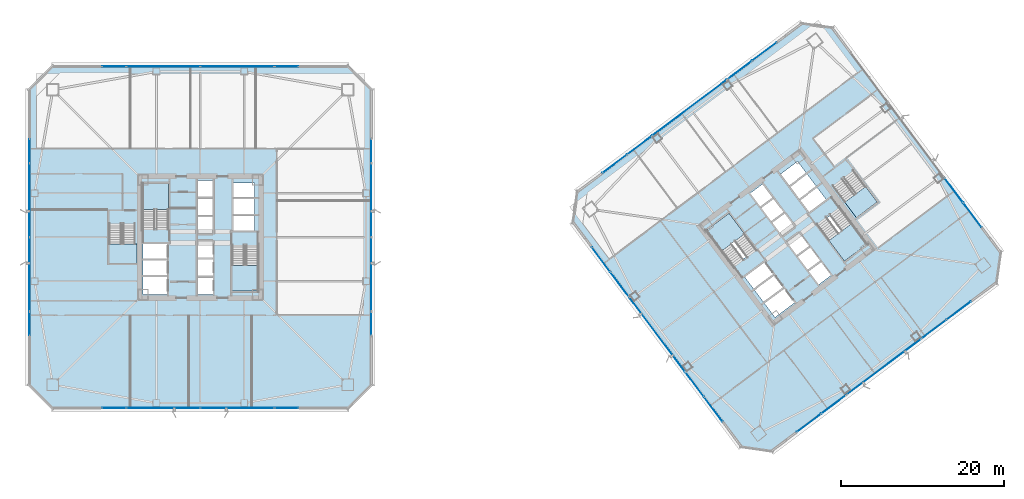
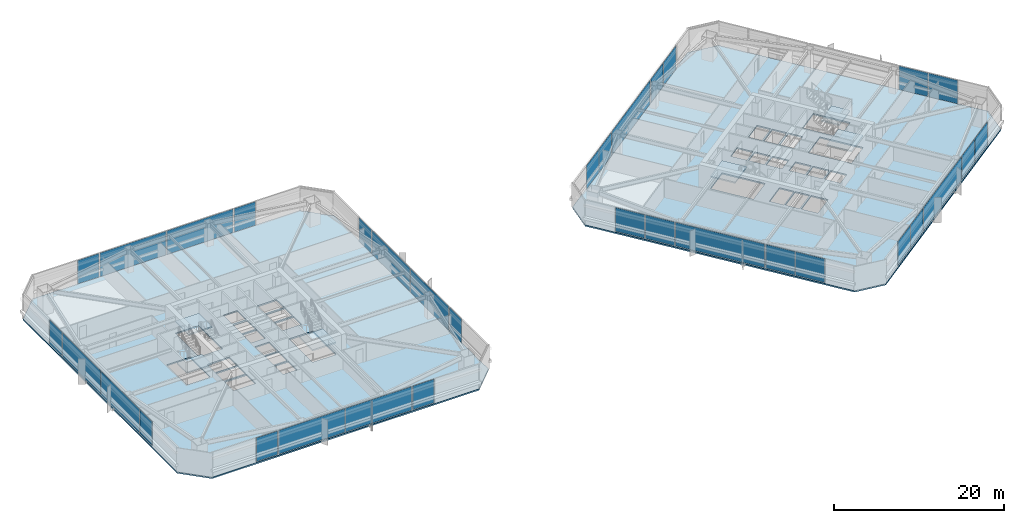
# One storey, part 34 of 49: 33 plates, 8 slabs, 28 elements without a shape of their own.
"""IFC4 building model written with IfcOpenShell, lengths in metres."""

import ifcopenshell
import ifcopenshell.guid

model = None  # the IFC model being written
_history = None  # IfcOwnerHistory: only IFC2X3 demands one
_inside = {}  # id of a spatial element -> (the spatial element, [elements in it])
_under = {}  # id of a project, library or spatial element -> (it, [spatial elements below it])
_declared = {}  # id of a project -> (the project, [libraries it declares])
_typed = {}  # id of a type object -> (the type object, [elements of that type])
_made_of = {}  # id of a material, layer set ... -> (it, [elements and type objects made of it])


def new_model(schema):
    """Start an empty IFC model of exactly this schema.

    Asked for "IFC4X3", IfcOpenShell would pick the latest addendum, in which some entities
    have other attributes; the version numbers below select the first issue.
    IFC2X3 requires an IfcOwnerHistory on every rooted entity: one is made here for all.
    """
    global model, _history
    if schema == "IFC4X3":
        model = ifcopenshell.file(schema_version=(4, 3, 0, 0))
    else:
        model = ifcopenshell.file(schema=schema)
    _inside.clear()
    _under.clear()
    _declared.clear()
    _typed.clear()
    _made_of.clear()
    _history = None
    if model.schema == "IFC2X3":
        org = make("IfcOrganization", Name="unknown")
        user = make(
            "IfcPersonAndOrganization",
            ThePerson=make("IfcPerson", FamilyName="unknown"),
            TheOrganization=org,
        )
        app = make(
            "IfcApplication",
            ApplicationDeveloper=org,
            Version="unknown",
            ApplicationFullName="unknown",
            ApplicationIdentifier="unknown",
        )
        _history = make(
            "IfcOwnerHistory",
            OwningUser=user,
            OwningApplication=app,
            ChangeAction="ADDED",
            CreationDate=0,
        )
    return model


def make(cls, **values):
    """One entity of the class cls with the attributes given. An attribute that is None is left unset."""
    return model.create_entity(
        cls, **{name: value for name, value in values.items() if value is not None}
    )


def rooted(cls, **values):
    """An entity with a GlobalId (a new one), such as an element, a storey or a relation."""
    return make(cls, GlobalId=ifcopenshell.guid.new(), OwnerHistory=_history, **values)


def si_unit(unit_type, name, prefix=None):
    """IfcSIUnit, for example si_unit("LENGTHUNIT", "METRE", prefix="MILLI")."""
    return make("IfcSIUnit", UnitType=unit_type, Prefix=prefix, Name=name)


def assignment(units):
    """IfcUnitAssignment: the units of a project."""
    return None if units is None else make("IfcUnitAssignment", Units=units)


def point(xyz):
    """IfcCartesianPoint."""
    return None if xyz is None else make("IfcCartesianPoint", Coordinates=xyz)


def direction(xyz):
    """IfcDirection."""
    return None if xyz is None else make("IfcDirection", DirectionRatios=xyz)


def frame(location, z_axis=None, x_axis=None):
    """IfcAxis2Placement3D, a coordinate frame: its origin and axes. An axis left out is left unset."""
    return make(
        "IfcAxis2Placement3D",
        Location=point(location),
        Axis=direction(z_axis),
        RefDirection=direction(x_axis),
    )


def frame_2d(location, x_axis=None):
    """IfcAxis2Placement2D, a coordinate frame in the plane: its origin and x axis."""
    return make(
        "IfcAxis2Placement2D", Location=point(location), RefDirection=direction(x_axis)
    )


def origin():
    """The frame at (0, 0, 0) with its axes left unset."""
    return frame((0.0, 0.0, 0.0))


def origin_2d():
    """The frame at (0, 0) in the plane with its x axis left unset."""
    return frame_2d((0.0, 0.0))


def place(relative_to, where):
    """IfcLocalPlacement: puts the frame where relative to a parent placement (None: the world)."""
    return make(
        "IfcLocalPlacement", PlacementRelTo=relative_to, RelativePlacement=where
    )


def context(
    kind, dimensions, precision=None, world=None, true_north=None, identifier=None
):
    """IfcGeometricRepresentationContext, for example the 3D "Model" context."""
    return make(
        "IfcGeometricRepresentationContext",
        ContextIdentifier=identifier,
        ContextType=kind,
        CoordinateSpaceDimension=dimensions,
        Precision=precision,
        WorldCoordinateSystem=world,
        TrueNorth=true_north,
    )


def subcontext(parent, identifier, kind, view, scale=None):
    """IfcGeometricRepresentationSubContext, for example "Body" below "Model"."""
    return make(
        "IfcGeometricRepresentationSubContext",
        ContextIdentifier=identifier,
        ContextType=kind,
        ParentContext=parent,
        TargetScale=scale,
        TargetView=view,
    )


def project(units=None, contexts=None):
    """IfcProject with its units and contexts."""
    return rooted(
        "IfcProject",
        Name="project",
        RepresentationContexts=contexts,
        UnitsInContext=assignment(units),
    )


def spatial(cls, under=None, at=None, **own):
    """A site, building, storey or space (cls), placed at a placement, below another one or the project."""
    s = rooted(cls, ObjectPlacement=at, **own)
    if under is not None:
        _under.setdefault(under.id(), (under, []))[1].append(s)
    return s


def polyline(points):
    """IfcPolyline through the points."""
    return make("IfcPolyline", Points=[point(p) for p in points])


def profile(cls, at=None, kind="AREA", **sizes):
    """A parametric profile (cls). Its sizes go by their IFC names, for example OverallWidth=200.0."""
    return make(cls, ProfileType=kind, Position=at, **sizes)


def rectangle(**sizes):
    """IfcRectangleProfileDef."""
    return profile("IfcRectangleProfileDef", **sizes)


def outline(outer, holes=None, kind="AREA"):
    """IfcArbitraryClosedProfileDef: a profile drawn as a closed curve; with holes, ...WithVoids."""
    if holes is None:
        return make("IfcArbitraryClosedProfileDef", ProfileType=kind, OuterCurve=outer)
    return make(
        "IfcArbitraryProfileDefWithVoids",
        ProfileType=kind,
        OuterCurve=outer,
        InnerCurves=holes,
    )


def extrude(swept, where, along, depth):
    """IfcExtrudedAreaSolid: the profile swept, set in the frame where, extruded along a direction by depth."""
    return make(
        "IfcExtrudedAreaSolid",
        SweptArea=swept,
        Position=where,
        ExtrudedDirection=direction(along),
        Depth=depth,
    )


def shape(context_of_items, identifier, shape_type, items):
    """IfcShapeRepresentation: the items that make up one representation, for example the "Body"."""
    return make(
        "IfcShapeRepresentation",
        ContextOfItems=context_of_items,
        RepresentationIdentifier=identifier,
        RepresentationType=shape_type,
        Items=items,
    )


def material(Name=None, Category=None):
    """IfcMaterial."""
    return make("IfcMaterial", Name=Name, Category=Category)


def layer(
    of_material, thickness, ventilated=None, Name=None, Category=None, Priority=None
):
    """IfcMaterialLayer: one layer of a wall or slab, of a material (None: an air gap)."""
    return make(
        "IfcMaterialLayer",
        Material=of_material,
        LayerThickness=thickness,
        IsVentilated=ventilated,
        Name=Name,
        Category=Category,
        Priority=Priority,
    )


def layer_set(layers, Name=None):
    """IfcMaterialLayerSet."""
    return make("IfcMaterialLayerSet", MaterialLayers=layers, LayerSetName=Name)


def made_of(thing, what):
    """Note that an element or type object is made of a material, layer set ...; save() writes the relation."""
    if what is not None:
        _made_of.setdefault(what.id(), (what, []))[1].append(thing)
    return thing


def type_object(cls, material=None, **own):
    """A type object (cls), such as IfcWallType, which elements share."""
    return made_of(rooted(cls, **own), material)


def element(
    cls,
    number,
    at=None,
    inside=None,
    cuts=None,
    type_object=None,
    material=None,
    context=None,
    identifier="Body",
    shape_type=None,
    held_by="IfcProductDefinitionShape",
    body=None,
    shapes=None,
    **own,
):
    """One element of the class cls, such as IfcWall. Its Tag is "e" and its number.

    at: its placement. inside: the storey or other place that contains it. cuts: it is an
    opening in that element (IfcRelVoidsElement). A single representation is given by context,
    identifier, shape_type and body (its items); several are given by shapes. held_by: the class
    of the entity that holds the representations. save() writes the other relations.
    """
    e = rooted(cls, Tag="e%d" % number, ObjectPlacement=at, **own)
    if body is not None:
        shapes = [shape(context, identifier, shape_type, body)]
    if shapes is not None:
        e.Representation = make(held_by, Representations=shapes)
    if inside is not None:
        _inside.setdefault(inside.id(), (inside, []))[1].append(e)
    if cuts is not None:
        rooted(
            "IfcRelVoidsElement", RelatingBuildingElement=cuts, RelatedOpeningElement=e
        )
    if type_object is not None:
        _typed.setdefault(type_object.id(), (type_object, []))[1].append(e)
    return made_of(e, material)


def aggregate(whole, parts):
    """IfcRelAggregates: a whole, such as a stair, and the parts it consists of."""
    return rooted("IfcRelAggregates", RelatingObject=whole, RelatedObjects=parts)


def save(model, path):
    """Write the relations noted so far, then the file.

    IfcRelAggregates (storeys below a building ...), IfcRelContainedInSpatialStructure (elements
    in a storey), IfcRelDefinesByType, IfcRelAssociatesMaterial and IfcRelDeclares: one each for
    every whole, place, type object, material and project.
    """
    for whole, parts in _under.values():
        aggregate(whole, parts)
    for where, things in _inside.values():
        rooted(
            "IfcRelContainedInSpatialStructure",
            RelatedElements=things,
            RelatingStructure=where,
        )
    for kind, things in _typed.values():
        rooted("IfcRelDefinesByType", RelatedObjects=things, RelatingType=kind)
    for what, things in _made_of.values():
        rooted("IfcRelAssociatesMaterial", RelatedObjects=things, RelatingMaterial=what)
    for by, libraries in _declared.values():
        rooted("IfcRelDeclares", RelatingContext=by, RelatedDefinitions=libraries)
    model.write(path)


model = new_model("IFC4")

# Units and contexts
model_context = context("Model", 3, precision=1e-05, world=origin(), true_north=direction((0.0, 1.0)))
body_context = subcontext(model_context, "Body", "Model", "MODEL_VIEW")
ifc_project = project(units=[si_unit("LENGTHUNIT", "METRE"), si_unit("AREAUNIT", "SQUARE_METRE"), si_unit("VOLUMEUNIT", "CUBIC_METRE"), si_unit("PLANEANGLEUNIT", "RADIAN"), si_unit("MASSUNIT", "GRAM", prefix="KILO")], contexts=[model_context])

# Site, building, storey
site_placement = place(None, origin())
site = spatial("IfcSite", under=ifc_project, at=site_placement, CompositionType="ELEMENT")
building_placement = place(site_placement, origin())
building = spatial("IfcBuilding", under=site, at=building_placement, Name="Tashvorn Skyway Center", CompositionType="ELEMENT")
storey_placement = place(building_placement, frame((0.0, 0.0, 70.75)))
storey = spatial("IfcBuildingStorey", under=building, at=storey_placement, Name="L18", CompositionType="ELEMENT", Elevation=70.75)

# Curtain wall, plate
ifc_material_1 = material(Name="Thermally broken bronze-anodized aluminium 6063-T6", Category="aluminium")
curtain_wall_type = type_object("IfcCurtainWallType", Name="CW-CW-Z2", PredefinedType="NOTDEFINED", material=ifc_material_1)
curtain_wall_1_placement = place(storey_placement, origin())
curtain_wall_1 = element("IfcCurtainWall", 1, at=curtain_wall_1_placement, inside=storey, type_object=curtain_wall_type, Name="Tower 1 L18 South Unitised Curtain Wall Glazing Group 1", PredefinedType="NOTDEFINED")
ifc_material_2 = material(Name="Low-E solar-control double insulating safety glass", Category="glass")
ifc_layer_1 = layer(ifc_material_2, 0.0439453125)
ifc_layer_set_1 = layer_set([ifc_layer_1], Name="Low-E solar-control double insulating safety glass")
plate_type = type_object("IfcPlateType", Name="CWP-CW-Z2", PredefinedType="CURTAIN_PANEL", material=ifc_layer_set_1)
plate_1_placement = place(storey_placement, frame((52.60498046875, 11.02001953125, 0.080078125), z_axis=(0.0, 0.0, 1.0), x_axis=(-1.0, 0.0, 0.0)))
plate_1 = element("IfcPlate", 2, at=plate_1_placement, type_object=plate_type, Name="CW-Z2 panel 1.1", PredefinedType="CURTAIN_PANEL", context=body_context, shape_type="SweptSolid", body=[
    extrude(rectangle(XDim=2.8701171875, YDim=0.0439453125, at=origin_2d()), origin(), (0.0, 0.0, 1.0), 3.389892578125),
])
aggregate(curtain_wall_1, [plate_1])

# Curtain wall, plates
curtain_wall_2_placement = place(storey_placement, origin())
curtain_wall_2 = element("IfcCurtainWall", 3, at=curtain_wall_2_placement, inside=storey, type_object=curtain_wall_type, Name="Tower 1 L18 South Unitised Curtain Wall Glazing Group 2", PredefinedType="NOTDEFINED")
plate_2_placement = place(storey_placement, frame((46.52490234375, 11.02001953125, 0.080078125), z_axis=(0.0, 0.0, 1.0), x_axis=(-1.0, 0.0, 0.0)))
plate_2 = element("IfcPlate", 4, at=plate_2_placement, type_object=plate_type, Name="CW-Z2 panel 1.1", PredefinedType="CURTAIN_PANEL", context=body_context, shape_type="SweptSolid", body=[
    extrude(rectangle(XDim=8.969970703125, YDim=0.0439453125, at=origin_2d()), origin(), (0.0, 0.0, 1.0), 3.389892578125),
])
plate_3_placement = place(storey_placement, frame((37.47509765625, 11.02001953125, 0.080078125), z_axis=(0.0, 0.0, 1.0), x_axis=(-1.0, 0.0, 0.0)))
plate_3 = element("IfcPlate", 5, at=plate_3_placement, type_object=plate_type, Name="CW-Z2 panel 2.1", PredefinedType="CURTAIN_PANEL", context=body_context, shape_type="SweptSolid", body=[
    extrude(rectangle(XDim=8.969970703125, YDim=0.0439453125, at=origin_2d()), origin(), (0.0, 0.0, 1.0), 3.389892578125),
])
aggregate(curtain_wall_2, [plate_2, plate_3])

# Curtain wall, plate
curtain_wall_3_placement = place(storey_placement, origin())
curtain_wall_3 = element("IfcCurtainWall", 6, at=curtain_wall_3_placement, inside=storey, type_object=curtain_wall_type, Name="Tower 1 L18 South Unitised Curtain Wall Glazing Group 3", PredefinedType="NOTDEFINED")
plate_4_placement = place(storey_placement, frame((31.39501953125, 11.02001953125, 0.080078125), z_axis=(0.0, 0.0, 1.0), x_axis=(-1.0, 0.0, 0.0)))
plate_4 = element("IfcPlate", 7, at=plate_4_placement, type_object=plate_type, Name="CW-Z2 panel 1.1", PredefinedType="CURTAIN_PANEL", context=body_context, shape_type="SweptSolid", body=[
    extrude(rectangle(XDim=2.8701171875, YDim=0.0439453125, at=origin_2d()), origin(), (0.0, 0.0, 1.0), 3.389892578125),
])
aggregate(curtain_wall_3, [plate_4])

curtain_wall_4_placement = place(storey_placement, origin())
curtain_wall_4 = element("IfcCurtainWall", 8, at=curtain_wall_4_placement, inside=storey, type_object=curtain_wall_type, Name="Tower 1 L18 West Unitised Curtain Wall Glazing Group 1", PredefinedType="NOTDEFINED")
plate_5_placement = place(storey_placement, frame((21.02001953125, 21.39501953125, 0.080078125), z_axis=(0.0, 0.0, 1.0), x_axis=(0.0, 1.0, 0.0)))
plate_5 = element("IfcPlate", 9, at=plate_5_placement, type_object=plate_type, Name="CW-Z2 panel 1.1", PredefinedType="CURTAIN_PANEL", context=body_context, shape_type="SweptSolid", body=[
    extrude(rectangle(XDim=2.8701171875, YDim=0.0439453125, at=origin_2d()), origin(), (0.0, 0.0, 1.0), 3.389892578125),
])
aggregate(curtain_wall_4, [plate_5])

# Curtain wall, plates
curtain_wall_5_placement = place(storey_placement, origin())
curtain_wall_5 = element("IfcCurtainWall", 10, at=curtain_wall_5_placement, inside=storey, type_object=curtain_wall_type, Name="Tower 1 L18 West Unitised Curtain Wall Glazing Group 2", PredefinedType="NOTDEFINED")
plate_6_placement = place(storey_placement, frame((21.02001953125, 27.47509765625, 0.080078125), z_axis=(0.0, 0.0, 1.0), x_axis=(0.0, 1.0, 0.0)))
plate_6 = element("IfcPlate", 11, at=plate_6_placement, type_object=plate_type, Name="CW-Z2 panel 1.1", PredefinedType="CURTAIN_PANEL", context=body_context, shape_type="SweptSolid", body=[
    extrude(rectangle(XDim=8.969970703125, YDim=0.0439453125, at=origin_2d()), origin(), (0.0, 0.0, 1.0), 3.389892578125),
])
plate_7_placement = place(storey_placement, frame((21.02001953125, 36.52490234375, 0.080078125), z_axis=(0.0, 0.0, 1.0), x_axis=(0.0, 1.0, 0.0)))
plate_7 = element("IfcPlate", 12, at=plate_7_placement, type_object=plate_type, Name="CW-Z2 panel 2.1", PredefinedType="CURTAIN_PANEL", context=body_context, shape_type="SweptSolid", body=[
    extrude(rectangle(XDim=8.969970703125, YDim=0.0439453125, at=origin_2d()), origin(), (0.0, 0.0, 1.0), 3.389892578125),
])
aggregate(curtain_wall_5, [plate_6, plate_7])

# Curtain wall, plate
curtain_wall_6_placement = place(storey_placement, origin())
curtain_wall_6 = element("IfcCurtainWall", 13, at=curtain_wall_6_placement, inside=storey, type_object=curtain_wall_type, Name="Tower 1 L18 West Unitised Curtain Wall Glazing Group 3", PredefinedType="NOTDEFINED")
plate_8_placement = place(storey_placement, frame((21.02001953125, 42.60498046875, 0.080078125), z_axis=(0.0, 0.0, 1.0), x_axis=(0.0, 1.0, 0.0)))
plate_8 = element("IfcPlate", 14, at=plate_8_placement, type_object=plate_type, Name="CW-Z2 panel 1.1", PredefinedType="CURTAIN_PANEL", context=body_context, shape_type="SweptSolid", body=[
    extrude(rectangle(XDim=2.8701171875, YDim=0.0439453125, at=origin_2d()), origin(), (0.0, 0.0, 1.0), 3.389892578125),
])
aggregate(curtain_wall_6, [plate_8])

curtain_wall_7_placement = place(storey_placement, origin())
curtain_wall_7 = element("IfcCurtainWall", 15, at=curtain_wall_7_placement, inside=storey, type_object=curtain_wall_type, Name="Tower 1 L18 North Unitised Curtain Wall Glazing Group 1", PredefinedType="NOTDEFINED")
plate_9_placement = place(storey_placement, frame((31.39501953125, 52.97998046875, 0.080078125), z_axis=(0.0, 0.0, 1.0), x_axis=(1.0, 0.0, 0.0)))
plate_9 = element("IfcPlate", 16, at=plate_9_placement, type_object=plate_type, Name="CW-Z2 panel 1.1", PredefinedType="CURTAIN_PANEL", context=body_context, shape_type="SweptSolid", body=[
    extrude(rectangle(XDim=2.8701171875, YDim=0.0439453125, at=origin_2d()), origin(), (0.0, 0.0, 1.0), 3.389892578125),
])
aggregate(curtain_wall_7, [plate_9])

# Curtain wall, plates
curtain_wall_8_placement = place(storey_placement, origin())
curtain_wall_8 = element("IfcCurtainWall", 17, at=curtain_wall_8_placement, inside=storey, type_object=curtain_wall_type, Name="Tower 1 L18 North Unitised Curtain Wall Glazing Group 2", PredefinedType="NOTDEFINED")
plate_10_placement = place(storey_placement, frame((37.47509765625, 52.97998046875, 0.080078125), z_axis=(0.0, 0.0, 1.0), x_axis=(1.0, 0.0, 0.0)))
plate_10 = element("IfcPlate", 18, at=plate_10_placement, type_object=plate_type, Name="CW-Z2 panel 1.1", PredefinedType="CURTAIN_PANEL", context=body_context, shape_type="SweptSolid", body=[
    extrude(rectangle(XDim=8.969970703125, YDim=0.0439453125, at=origin_2d()), origin(), (0.0, 0.0, 1.0), 3.389892578125),
])
plate_11_placement = place(storey_placement, frame((46.52490234375, 52.97998046875, 0.080078125), z_axis=(0.0, 0.0, 1.0), x_axis=(1.0, 0.0, 0.0)))
plate_11 = element("IfcPlate", 19, at=plate_11_placement, type_object=plate_type, Name="CW-Z2 panel 2.1", PredefinedType="CURTAIN_PANEL", context=body_context, shape_type="SweptSolid", body=[
    extrude(rectangle(XDim=8.969970703125, YDim=0.0439453125, at=origin_2d()), origin(), (0.0, 0.0, 1.0), 3.389892578125),
])
aggregate(curtain_wall_8, [plate_10, plate_11])

# Curtain wall, plate
curtain_wall_9_placement = place(storey_placement, origin())
curtain_wall_9 = element("IfcCurtainWall", 20, at=curtain_wall_9_placement, inside=storey, type_object=curtain_wall_type, Name="Tower 1 L18 North Unitised Curtain Wall Glazing Group 3", PredefinedType="NOTDEFINED")
plate_12_placement = place(storey_placement, frame((52.60498046875, 52.97998046875, 0.080078125), z_axis=(0.0, 0.0, 1.0), x_axis=(1.0, 0.0, 0.0)))
plate_12 = element("IfcPlate", 21, at=plate_12_placement, type_object=plate_type, Name="CW-Z2 panel 1.1", PredefinedType="CURTAIN_PANEL", context=body_context, shape_type="SweptSolid", body=[
    extrude(rectangle(XDim=2.8701171875, YDim=0.0439453125, at=origin_2d()), origin(), (0.0, 0.0, 1.0), 3.389892578125),
])
aggregate(curtain_wall_9, [plate_12])

curtain_wall_10_placement = place(storey_placement, origin())
curtain_wall_10 = element("IfcCurtainWall", 22, at=curtain_wall_10_placement, inside=storey, type_object=curtain_wall_type, Name="Tower 1 L18 East Unitised Curtain Wall Glazing Group 1", PredefinedType="NOTDEFINED")
plate_13_placement = place(storey_placement, frame((62.97998046875, 42.60498046875, 0.080078125), z_axis=(0.0, 0.0, 1.0), x_axis=(0.0, -1.0, 0.0)))
plate_13 = element("IfcPlate", 23, at=plate_13_placement, type_object=plate_type, Name="CW-Z2 panel 1.1", PredefinedType="CURTAIN_PANEL", context=body_context, shape_type="SweptSolid", body=[
    extrude(rectangle(XDim=2.8701171875, YDim=0.0439453125, at=origin_2d()), origin(), (0.0, 0.0, 1.0), 3.389892578125),
])
aggregate(curtain_wall_10, [plate_13])

# Curtain wall, plates
curtain_wall_11_placement = place(storey_placement, origin())
curtain_wall_11 = element("IfcCurtainWall", 24, at=curtain_wall_11_placement, inside=storey, type_object=curtain_wall_type, Name="Tower 1 L18 East Unitised Curtain Wall Glazing Group 2", PredefinedType="NOTDEFINED")
plate_14_placement = place(storey_placement, frame((62.97998046875, 36.52490234375, 0.080078125), z_axis=(0.0, 0.0, 1.0), x_axis=(0.0, -1.0, 0.0)))
plate_14 = element("IfcPlate", 25, at=plate_14_placement, type_object=plate_type, Name="CW-Z2 panel 1.1", PredefinedType="CURTAIN_PANEL", context=body_context, shape_type="SweptSolid", body=[
    extrude(rectangle(XDim=8.969970703125, YDim=0.0439453125, at=origin_2d()), origin(), (0.0, 0.0, 1.0), 3.389892578125),
])
plate_15_placement = place(storey_placement, frame((62.97998046875, 27.47509765625, 0.080078125), z_axis=(0.0, 0.0, 1.0), x_axis=(0.0, -1.0, 0.0)))
plate_15 = element("IfcPlate", 26, at=plate_15_placement, type_object=plate_type, Name="CW-Z2 panel 2.1", PredefinedType="CURTAIN_PANEL", context=body_context, shape_type="SweptSolid", body=[
    extrude(rectangle(XDim=8.969970703125, YDim=0.0439453125, at=origin_2d()), origin(), (0.0, 0.0, 1.0), 3.389892578125),
])
aggregate(curtain_wall_11, [plate_14, plate_15])

# Curtain wall, plate
curtain_wall_12_placement = place(storey_placement, origin())
curtain_wall_12 = element("IfcCurtainWall", 27, at=curtain_wall_12_placement, inside=storey, type_object=curtain_wall_type, Name="Tower 1 L18 East Unitised Curtain Wall Glazing Group 3", PredefinedType="NOTDEFINED")
plate_16_placement = place(storey_placement, frame((62.97998046875, 21.39501953125, 0.080078125), z_axis=(0.0, 0.0, 1.0), x_axis=(0.0, -1.0, 0.0)))
plate_16 = element("IfcPlate", 28, at=plate_16_placement, type_object=plate_type, Name="CW-Z2 panel 1.1", PredefinedType="CURTAIN_PANEL", context=body_context, shape_type="SweptSolid", body=[
    extrude(rectangle(XDim=2.8701171875, YDim=0.0439453125, at=origin_2d()), origin(), (0.0, 0.0, 1.0), 3.389892578125),
])
aggregate(curtain_wall_12, [plate_16])

# Curtain wall, plates
curtain_wall_13_placement = place(storey_placement, origin())
curtain_wall_13 = element("IfcCurtainWall", 29, at=curtain_wall_13_placement, inside=storey, type_object=curtain_wall_type, Name="Tower 2 L18 South Unitised Curtain Wall Glazing Group 1", PredefinedType="NOTDEFINED")
plate_17_placement = place(storey_placement, frame((135.1279296875, 22.99609375, 0.080078125), z_axis=(0.0, 0.0, 1.0), x_axis=(-0.799999999998, -0.600000000002, 0.0)))
plate_17 = element("IfcPlate", 30, at=plate_17_placement, type_object=plate_type, Name="CW-Z2 panel 1.1", PredefinedType="CURTAIN_PANEL", context=body_context, shape_type="SweptSolid", body=[
    extrude(rectangle(XDim=3.719970703125, YDim=0.0439453125, at=origin_2d()), origin(), (0.0, 0.0, 1.0), 3.389892578125),
])
plate_18_placement = place(storey_placement, frame((132.087890625, 20.716064453125, 0.080078125), z_axis=(0.0, 0.0, 1.0), x_axis=(-0.799999999998, -0.600000000002, 0.0)))
plate_18 = element("IfcPlate", 31, at=plate_18_placement, type_object=plate_type, Name="CW-Z2 panel 2.1", PredefinedType="CURTAIN_PANEL", context=body_context, shape_type="SweptSolid", body=[
    extrude(rectangle(XDim=3.719970703125, YDim=0.0439453125, at=origin_2d()), origin(), (0.0, 0.0, 1.0), 3.389892578125),
])
aggregate(curtain_wall_13, [plate_17, plate_18])

# Curtain wall, plate
curtain_wall_14_placement = place(storey_placement, origin())
curtain_wall_14 = element("IfcCurtainWall", 32, at=curtain_wall_14_placement, inside=storey, type_object=curtain_wall_type, Name="Tower 2 L18 South Unitised Curtain Wall Glazing Group 2", PredefinedType="NOTDEFINED")
plate_19_placement = place(storey_placement, frame((125.927978515625, 16.095947265625, 0.080078125), z_axis=(0.0, 0.0, 1.0), x_axis=(-0.799999999998, -0.600000000002, 0.0)))
plate_19 = element("IfcPlate", 33, at=plate_19_placement, type_object=plate_type, Name="CW-Z2 panel 1.1", PredefinedType="CURTAIN_PANEL", context=body_context, shape_type="SweptSolid", body=[
    extrude(rectangle(XDim=11.360107421875, YDim=0.0439453125, at=origin_2d()), origin(), (0.0, 0.0, 1.0), 3.389892578125),
])
aggregate(curtain_wall_14, [plate_19])

# Curtain wall, plates
curtain_wall_15_placement = place(storey_placement, origin())
curtain_wall_15 = element("IfcCurtainWall", 34, at=curtain_wall_15_placement, inside=storey, type_object=curtain_wall_type, Name="Tower 2 L18 South Unitised Curtain Wall Glazing Group 3", PredefinedType="NOTDEFINED")
plate_20_placement = place(storey_placement, frame((119.76806640625, 11.47607421875, 0.080078125), z_axis=(0.0, 0.0, 1.0), x_axis=(-0.799999999998, -0.600000000002, 0.0)))
plate_20 = element("IfcPlate", 35, at=plate_20_placement, type_object=plate_type, Name="CW-Z2 panel 1.1", PredefinedType="CURTAIN_PANEL", context=body_context, shape_type="SweptSolid", body=[
    extrude(rectangle(XDim=3.719970703125, YDim=0.0439453125, at=origin_2d()), origin(), (0.0, 0.0, 1.0), 3.389892578125),
])
plate_21_placement = place(storey_placement, frame((116.72802734375, 9.196044921875, 0.080078125), z_axis=(0.0, 0.0, 1.0), x_axis=(-0.799999999998, -0.600000000002, 0.0)))
plate_21 = element("IfcPlate", 36, at=plate_21_placement, type_object=plate_type, Name="CW-Z2 panel 2.1", PredefinedType="CURTAIN_PANEL", context=body_context, shape_type="SweptSolid", body=[
    extrude(rectangle(XDim=3.719970703125, YDim=0.0439453125, at=origin_2d()), origin(), (0.0, 0.0, 1.0), 3.389892578125),
])
aggregate(curtain_wall_15, [plate_20, plate_21])

curtain_wall_16_placement = place(storey_placement, origin())
curtain_wall_16 = element("IfcCurtainWall", 37, at=curtain_wall_16_placement, inside=storey, type_object=curtain_wall_type, Name="Tower 2 L18 West Unitised Curtain Wall Glazing Group 1", PredefinedType="NOTDEFINED")
plate_22_placement = place(storey_placement, frame((104.99609375, 10.8720703125, 0.080078125), z_axis=(0.0, 0.0, 1.0), x_axis=(-0.600000000002, 0.799999999998, 0.0)))
plate_22 = element("IfcPlate", 38, at=plate_22_placement, type_object=plate_type, Name="CW-Z2 panel 1.1", PredefinedType="CURTAIN_PANEL", context=body_context, shape_type="SweptSolid", body=[
    extrude(rectangle(XDim=3.719970703125, YDim=0.0439453125, at=origin_2d()), origin(), (0.0, 0.0, 1.0), 3.389892578125),
])
plate_23_placement = place(storey_placement, frame((102.716064453125, 13.912109375, 0.080078125), z_axis=(0.0, 0.0, 1.0), x_axis=(-0.600000000002, 0.799999999998, 0.0)))
plate_23 = element("IfcPlate", 39, at=plate_23_placement, type_object=plate_type, Name="CW-Z2 panel 2.1", PredefinedType="CURTAIN_PANEL", context=body_context, shape_type="SweptSolid", body=[
    extrude(rectangle(XDim=3.719970703125, YDim=0.0439453125, at=origin_2d()), origin(), (0.0, 0.0, 1.0), 3.389892578125),
])
aggregate(curtain_wall_16, [plate_22, plate_23])

# Curtain wall, plate
curtain_wall_17_placement = place(storey_placement, origin())
curtain_wall_17 = element("IfcCurtainWall", 40, at=curtain_wall_17_placement, inside=storey, type_object=curtain_wall_type, Name="Tower 2 L18 West Unitised Curtain Wall Glazing Group 2", PredefinedType="NOTDEFINED")
plate_24_placement = place(storey_placement, frame((98.095947265625, 20.072021484375, 0.080078125), z_axis=(0.0, 0.0, 1.0), x_axis=(-0.600000000002, 0.799999999998, 0.0)))
plate_24 = element("IfcPlate", 41, at=plate_24_placement, type_object=plate_type, Name="CW-Z2 panel 1.1", PredefinedType="CURTAIN_PANEL", context=body_context, shape_type="SweptSolid", body=[
    extrude(rectangle(XDim=11.360107421875, YDim=0.0439453125, at=origin_2d()), origin(), (0.0, 0.0, 1.0), 3.389892578125),
])
aggregate(curtain_wall_17, [plate_24])

# Curtain wall, plates
curtain_wall_18_placement = place(storey_placement, origin())
curtain_wall_18 = element("IfcCurtainWall", 42, at=curtain_wall_18_placement, inside=storey, type_object=curtain_wall_type, Name="Tower 2 L18 West Unitised Curtain Wall Glazing Group 3", PredefinedType="NOTDEFINED")
plate_25_placement = place(storey_placement, frame((93.47607421875, 26.23193359375, 0.080078125), z_axis=(0.0, 0.0, 1.0), x_axis=(-0.600000000002, 0.799999999998, 0.0)))
plate_25 = element("IfcPlate", 43, at=plate_25_placement, type_object=plate_type, Name="CW-Z2 panel 1.1", PredefinedType="CURTAIN_PANEL", context=body_context, shape_type="SweptSolid", body=[
    extrude(rectangle(XDim=3.719970703125, YDim=0.0439453125, at=origin_2d()), origin(), (0.0, 0.0, 1.0), 3.389892578125),
])
plate_26_placement = place(storey_placement, frame((91.196044921875, 29.27197265625, 0.080078125), z_axis=(0.0, 0.0, 1.0), x_axis=(-0.600000000002, 0.799999999998, 0.0)))
plate_26 = element("IfcPlate", 44, at=plate_26_placement, type_object=plate_type, Name="CW-Z2 panel 2.1", PredefinedType="CURTAIN_PANEL", context=body_context, shape_type="SweptSolid", body=[
    extrude(rectangle(XDim=3.719970703125, YDim=0.0439453125, at=origin_2d()), origin(), (0.0, 0.0, 1.0), 3.389892578125),
])
aggregate(curtain_wall_18, [plate_25, plate_26])

curtain_wall_19_placement = place(storey_placement, origin())
curtain_wall_19 = element("IfcCurtainWall", 45, at=curtain_wall_19_placement, inside=storey, type_object=curtain_wall_type, Name="Tower 2 L18 North Unitised Curtain Wall Glazing Group 1", PredefinedType="NOTDEFINED")
plate_27_placement = place(storey_placement, frame((92.8720703125, 41.00390625, 0.080078125), z_axis=(0.0, 0.0, 1.0), x_axis=(0.799999999998, 0.600000000002, 0.0)))
plate_27 = element("IfcPlate", 46, at=plate_27_placement, type_object=plate_type, Name="CW-Z2 panel 1.1", PredefinedType="CURTAIN_PANEL", context=body_context, shape_type="SweptSolid", body=[
    extrude(rectangle(XDim=3.719970703125, YDim=0.0439453125, at=origin_2d()), origin(), (0.0, 0.0, 1.0), 3.389892578125),
])
plate_28_placement = place(storey_placement, frame((95.912109375, 43.283935546875, 0.080078125), z_axis=(0.0, 0.0, 1.0), x_axis=(0.799999999998, 0.600000000002, 0.0)))
plate_28 = element("IfcPlate", 47, at=plate_28_placement, type_object=plate_type, Name="CW-Z2 panel 2.1", PredefinedType="CURTAIN_PANEL", context=body_context, shape_type="SweptSolid", body=[
    extrude(rectangle(XDim=3.719970703125, YDim=0.0439453125, at=origin_2d()), origin(), (0.0, 0.0, 1.0), 3.389892578125),
])
aggregate(curtain_wall_19, [plate_27, plate_28])

# Curtain wall, plate
curtain_wall_20_placement = place(storey_placement, origin())
curtain_wall_20 = element("IfcCurtainWall", 48, at=curtain_wall_20_placement, inside=storey, type_object=curtain_wall_type, Name="Tower 2 L18 North Unitised Curtain Wall Glazing Group 2", PredefinedType="NOTDEFINED")
plate_29_placement = place(storey_placement, frame((102.072021484375, 47.904052734375, 0.080078125), z_axis=(0.0, 0.0, 1.0), x_axis=(0.799999999998, 0.600000000002, 0.0)))
plate_29 = element("IfcPlate", 49, at=plate_29_placement, type_object=plate_type, Name="CW-Z2 panel 1.1", PredefinedType="CURTAIN_PANEL", context=body_context, shape_type="SweptSolid", body=[
    extrude(rectangle(XDim=11.360107421875, YDim=0.0439453125, at=origin_2d()), origin(), (0.0, 0.0, 1.0), 3.389892578125),
])
aggregate(curtain_wall_20, [plate_29])

# Curtain wall, plates
curtain_wall_21_placement = place(storey_placement, origin())
curtain_wall_21 = element("IfcCurtainWall", 50, at=curtain_wall_21_placement, inside=storey, type_object=curtain_wall_type, Name="Tower 2 L18 North Unitised Curtain Wall Glazing Group 3", PredefinedType="NOTDEFINED")
plate_30_placement = place(storey_placement, frame((108.23193359375, 52.52392578125, 0.080078125), z_axis=(0.0, 0.0, 1.0), x_axis=(0.799999999998, 0.600000000002, 0.0)))
plate_30 = element("IfcPlate", 51, at=plate_30_placement, type_object=plate_type, Name="CW-Z2 panel 1.1", PredefinedType="CURTAIN_PANEL", context=body_context, shape_type="SweptSolid", body=[
    extrude(rectangle(XDim=3.719970703125, YDim=0.0439453125, at=origin_2d()), origin(), (0.0, 0.0, 1.0), 3.389892578125),
])
plate_31_placement = place(storey_placement, frame((111.27197265625, 54.803955078125, 0.080078125), z_axis=(0.0, 0.0, 1.0), x_axis=(0.799999999998, 0.600000000002, 0.0)))
plate_31 = element("IfcPlate", 52, at=plate_31_placement, type_object=plate_type, Name="CW-Z2 panel 2.1", PredefinedType="CURTAIN_PANEL", context=body_context, shape_type="SweptSolid", body=[
    extrude(rectangle(XDim=3.719970703125, YDim=0.0439453125, at=origin_2d()), origin(), (0.0, 0.0, 1.0), 3.389892578125),
])
aggregate(curtain_wall_21, [plate_30, plate_31])

curtain_wall_22_placement = place(storey_placement, origin())
curtain_wall_22 = element("IfcCurtainWall", 53, at=curtain_wall_22_placement, inside=storey, type_object=curtain_wall_type, Name="Tower 2 L18 East Unitised Curtain Wall Glazing Group 3", PredefinedType="NOTDEFINED")
plate_32_placement = place(storey_placement, frame((134.52392578125, 37.76806640625, 0.080078125), z_axis=(0.0, 0.0, 1.0), x_axis=(0.600000000002, -0.799999999998, 0.0)))
plate_32 = element("IfcPlate", 54, at=plate_32_placement, type_object=plate_type, Name="CW-Z2 panel 1.1", PredefinedType="CURTAIN_PANEL", context=body_context, shape_type="SweptSolid", body=[
    extrude(rectangle(XDim=3.719970703125, YDim=0.0439453125, at=origin_2d()), origin(), (0.0, 0.0, 1.0), 3.389892578125),
])
plate_33_placement = place(storey_placement, frame((136.803955078125, 34.72802734375, 0.080078125), z_axis=(0.0, 0.0, 1.0), x_axis=(0.600000000002, -0.799999999998, 0.0)))
plate_33 = element("IfcPlate", 55, at=plate_33_placement, type_object=plate_type, Name="CW-Z2 panel 2.1", PredefinedType="CURTAIN_PANEL", context=body_context, shape_type="SweptSolid", body=[
    extrude(rectangle(XDim=3.719970703125, YDim=0.0439453125, at=origin_2d()), origin(), (0.0, 0.0, 1.0), 3.389892578125),
])
aggregate(curtain_wall_22, [plate_32, plate_33])

# Slabs
ifc_material_3 = material(Name="Concrete C40/50", Category="concrete")
ifc_layer_2 = layer(ifc_material_3, 0.199951171875)
ifc_layer_set_2 = layer_set([ifc_layer_2], Name="Concrete C40/50")
slab_type_1 = type_object("IfcSlabType", Name="SLAB-FLR-200", PredefinedType="FLOOR", material=ifc_layer_set_2)
slab_1_placement = place(storey_placement, frame((0.0, 0.0, -0.199951171875)))
element("IfcSlab", 56, at=slab_1_placement, inside=storey, type_object=slab_type_1, Name="Tower 1 L18 Composite Floor Slab", PredefinedType="FLOOR", context=body_context, shape_type="SweptSolid", body=[
    extrude(outline(polyline([(23.89990234375, 10.89990234375), (60.10009765625, 10.89990234375), (63.10009765625, 13.89990234375), (63.10009765625, 50.10009765625), (60.10009765625, 53.10009765625), (23.89990234375, 53.10009765625), (20.89990234375, 50.10009765625), (20.89990234375, 13.89990234375), (23.89990234375, 10.89990234375)]), holes=[polyline([(38.10009765625, 33.080078125), (38.10009765625, 38.60009765625), (34.89990234375, 38.60009765625), (34.89990234375, 33.080078125), (38.10009765625, 33.080078125)]), polyline([(45.89990234375, 30.919921875), (45.89990234375, 25.39990234375), (49.10009765625, 25.39990234375), (49.10009765625, 30.919921875), (45.89990234375, 30.919921875)]), polyline([(30.800048828125, 33.52001953125), (30.800048828125, 28.800048828125), (34.0, 28.800048828125), (34.0, 33.52001953125), (30.800048828125, 33.52001953125)]), polyline([(34.949951171875, 29.35009765625), (37.949951171875, 29.35009765625), (37.949951171875, 31.199951171875), (34.949951171875, 31.199951171875), (34.949951171875, 29.35009765625)]), polyline([(34.949951171875, 27.35009765625), (37.949951171875, 27.35009765625), (37.949951171875, 29.199951171875), (34.949951171875, 29.199951171875), (34.949951171875, 27.35009765625)]), polyline([(34.949951171875, 25.0), (37.949951171875, 25.0), (37.949951171875, 27.14990234375), (34.949951171875, 27.14990234375), (34.949951171875, 25.0)]), polyline([(41.64990234375, 25.0), (43.550048828125, 25.0), (43.550048828125, 27.050048828125), (41.64990234375, 27.050048828125), (41.64990234375, 25.0)]), polyline([(41.64990234375, 27.25), (43.550048828125, 27.25), (43.550048828125, 29.300048828125), (41.64990234375, 29.300048828125), (41.64990234375, 27.25)]), polyline([(41.64990234375, 29.5), (43.550048828125, 29.5), (43.550048828125, 31.550048828125), (41.64990234375, 31.550048828125), (41.64990234375, 29.5)]), polyline([(41.64990234375, 32.449951171875), (43.550048828125, 32.449951171875), (43.550048828125, 34.5), (41.64990234375, 34.5), (41.64990234375, 32.449951171875)]), polyline([(41.64990234375, 34.699951171875), (43.550048828125, 34.699951171875), (43.550048828125, 36.75), (41.64990234375, 36.75), (41.64990234375, 34.699951171875)]), polyline([(41.64990234375, 36.949951171875), (43.550048828125, 36.949951171875), (43.550048828125, 39.0), (41.64990234375, 39.0), (41.64990234375, 36.949951171875)]), polyline([(46.050048828125, 32.800048828125), (48.64990234375, 32.800048828125), (48.64990234375, 34.64990234375), (46.050048828125, 34.64990234375), (46.050048828125, 32.800048828125)]), polyline([(46.050048828125, 34.85009765625), (48.64990234375, 34.85009765625), (48.64990234375, 36.699951171875), (46.050048828125, 36.699951171875), (46.050048828125, 34.85009765625)]), polyline([(46.050048828125, 36.89990234375), (48.64990234375, 36.89990234375), (48.64990234375, 38.64990234375), (46.050048828125, 38.64990234375), (46.050048828125, 36.89990234375)])]), origin(), (0.0, 0.0, 1.0), 0.199951171875),
])
slab_2_placement = place(storey_placement, frame((0.0, 0.0, -0.199951171875)))
element("IfcSlab", 57, at=slab_2_placement, inside=storey, type_object=slab_type_1, Name="Tower 2 L18 Composite Floor Slab", PredefinedType="FLOOR", context=body_context, shape_type="SweptSolid", body=[
    extrude(outline(polyline([(112.239990234375, 5.679931640625), (139.760009765625, 26.320068359375), (140.320068359375, 30.239990234375), (119.679931640625, 57.760009765625), (115.760009765625, 58.320068359375), (88.239990234375, 37.679931640625), (87.679931640625, 33.760009765625), (108.320068359375, 6.239990234375), (112.239990234375, 5.679931640625)]), holes=[polyline([(110.23193359375, 30.52392578125), (106.919921875, 34.93994140625), (104.135986328125, 32.85205078125), (107.447998046875, 28.43603515625), (110.23193359375, 30.52392578125)]), polyline([(117.76806640625, 33.47607421875), (121.080078125, 29.06005859375), (123.864013671875, 31.14794921875), (120.552001953125, 35.56396484375), (117.76806640625, 33.47607421875)]), polyline([(119.7119140625, 38.18408203125), (122.5439453125, 34.407958984375), (125.10400390625, 36.327880859375), (122.27197265625, 40.10400390625), (119.7119140625, 38.18408203125)]), polyline([(109.949951171875, 25.64990234375), (112.35009765625, 27.449951171875), (111.239990234375, 28.929931640625), (108.840087890625, 27.1298828125), (109.949951171875, 25.64990234375)]), polyline([(111.14990234375, 24.050048828125), (113.550048828125, 25.85009765625), (112.43994140625, 27.330078125), (110.0400390625, 25.530029296875), (111.14990234375, 24.050048828125)]), polyline([(112.56005859375, 22.169921875), (114.9599609375, 23.969970703125), (113.669921875, 25.68994140625), (111.27001953125, 23.889892578125), (112.56005859375, 22.169921875)]), polyline([(117.919921875, 26.18994140625), (119.43994140625, 27.330078125), (118.2099609375, 28.969970703125), (116.68994140625, 27.830078125), (117.919921875, 26.18994140625)]), polyline([(116.570068359375, 27.989990234375), (118.090087890625, 29.1298828125), (116.860107421875, 30.77001953125), (115.340087890625, 29.6298828125), (116.570068359375, 27.989990234375)]), polyline([(115.219970703125, 29.7900390625), (116.739990234375, 30.929931640625), (115.510009765625, 32.570068359375), (113.989990234375, 31.429931640625), (115.219970703125, 29.7900390625)]), polyline([(113.449951171875, 32.14990234375), (114.969970703125, 33.2900390625), (113.739990234375, 34.929931640625), (112.219970703125, 33.7900390625), (113.449951171875, 32.14990234375)]), polyline([(112.10009765625, 33.949951171875), (113.6201171875, 35.090087890625), (112.389892578125, 36.72998046875), (110.8701171875, 35.590087890625), (112.10009765625, 33.949951171875)]), polyline([(110.75, 35.75), (112.27001953125, 36.889892578125), (111.0400390625, 38.530029296875), (109.52001953125, 37.389892578125), (110.75, 35.75)]), polyline([(116.760009765625, 35.070068359375), (118.840087890625, 36.6298828125), (117.72998046875, 38.110107421875), (115.64990234375, 36.550048828125), (116.760009765625, 35.070068359375)]), polyline([(115.530029296875, 36.7099609375), (117.610107421875, 38.27001953125), (116.5, 39.75), (114.419921875, 38.18994140625), (115.530029296875, 36.7099609375)]), polyline([(114.300048828125, 38.35009765625), (116.3798828125, 39.909912109375), (115.330078125, 41.31005859375), (113.25, 39.75), (114.300048828125, 38.35009765625)])]), origin(), (0.0, 0.0, 1.0), 0.199951171875),
])

# Stair, slab
stair_type = type_object("IfcStairType", Name="STAIR-CORE-1500", PredefinedType="HALF_TURN_STAIR", material=ifc_material_3)
stair_1_placement = place(storey_placement, origin())
stair_1 = element("IfcStair", 58, at=stair_1_placement, inside=storey, type_object=stair_type, Name="L18 Tower 1 Exit Stair 1", PredefinedType="HALF_TURN_STAIR")
ifc_layer_3 = layer(ifc_material_3, 0.199951171875)
ifc_layer_set_3 = layer_set([ifc_layer_3], Name="Concrete C40/50")
slab_type_2 = type_object("IfcSlabType", Name="SLAB-LAND-200", PredefinedType="LANDING", material=ifc_layer_set_3)
slab_3_placement = place(storey_placement, frame((0.0, 0.0, 1.574951171875)))
slab_3 = element("IfcSlab", 59, at=slab_3_placement, type_object=slab_type_2, Name="ST-T1-1 landing 1", PredefinedType="LANDING", context=body_context, shape_type="SweptSolid", body=[
    extrude(outline(polyline([(38.10009765625, 35.43994140625), (38.10009765625, 38.60009765625), (34.89990234375, 38.60009765625), (34.89990234375, 35.43994140625), (38.10009765625, 35.43994140625)])), origin(), (0.0, 0.0, 1.0), 0.199951171875),
])
aggregate(stair_1, [slab_3])

stair_2_placement = place(storey_placement, origin())
stair_2 = element("IfcStair", 60, at=stair_2_placement, inside=storey, type_object=stair_type, Name="L18 Tower 1 Exit Stair 2", PredefinedType="HALF_TURN_STAIR")
slab_4_placement = place(storey_placement, frame((0.0, 0.0, 1.574951171875)))
slab_4 = element("IfcSlab", 61, at=slab_4_placement, type_object=slab_type_2, Name="ST-T1-2 landing 1", PredefinedType="LANDING", context=body_context, shape_type="SweptSolid", body=[
    extrude(outline(polyline([(45.89990234375, 28.56005859375), (45.89990234375, 25.39990234375), (49.10009765625, 25.39990234375), (49.10009765625, 28.56005859375), (45.89990234375, 28.56005859375)])), origin(), (0.0, 0.0, 1.0), 0.199951171875),
])
aggregate(stair_2, [slab_4])

stair_3_placement = place(storey_placement, origin())
stair_3 = element("IfcStair", 62, at=stair_3_placement, inside=storey, type_object=stair_type, Name="L18 Tower 2 Exit Stair 1", PredefinedType="HALF_TURN_STAIR")
slab_5_placement = place(storey_placement, frame((0.0, 0.0, 1.574951171875)))
slab_5 = element("IfcSlab", 63, at=slab_5_placement, type_object=slab_type_2, Name="ST-T2-1 landing 1", PredefinedType="LANDING", context=body_context, shape_type="SweptSolid", body=[
    extrude(outline(polyline([(108.82080078125, 32.405517578125), (106.919921875, 34.93994140625), (104.135986328125, 32.85205078125), (106.036865234375, 30.317626953125), (108.82080078125, 32.405517578125)])), origin(), (0.0, 0.0, 1.0), 0.199951171875),
])
aggregate(stair_3, [slab_5])

stair_4_placement = place(storey_placement, origin())
stair_4 = element("IfcStair", 64, at=stair_4_placement, inside=storey, type_object=stair_type, Name="L18 Tower 2 Exit Stair 2", PredefinedType="HALF_TURN_STAIR")
slab_6_placement = place(storey_placement, frame((0.0, 0.0, 1.574951171875)))
slab_6 = element("IfcSlab", 65, at=slab_6_placement, type_object=slab_type_2, Name="ST-T2-2 landing 1", PredefinedType="LANDING", context=body_context, shape_type="SweptSolid", body=[
    extrude(outline(polyline([(119.17919921875, 31.594482421875), (121.080078125, 29.06005859375), (123.864013671875, 31.14794921875), (121.963134765625, 33.682373046875), (119.17919921875, 31.594482421875)])), origin(), (0.0, 0.0, 1.0), 0.199951171875),
])
aggregate(stair_4, [slab_6])

stair_5_placement = place(storey_placement, origin())
stair_5 = element("IfcStair", 66, at=stair_5_placement, inside=storey, type_object=stair_type, Name="L18 Tower 1 Exit Stair 3", PredefinedType="HALF_TURN_STAIR")
slab_7_placement = place(storey_placement, frame((0.0, 0.0, 1.574951171875)))
slab_7 = element("IfcSlab", 67, at=slab_7_placement, type_object=slab_type_2, Name="ST-T1-3 landing 1", PredefinedType="LANDING", context=body_context, shape_type="SweptSolid", body=[
    extrude(outline(polyline([(30.800048828125, 31.159912109375), (30.800048828125, 28.800048828125), (34.199951171875, 28.800048828125), (34.199951171875, 31.159912109375), (30.800048828125, 31.159912109375)])), origin(), (0.0, 0.0, 1.0), 0.199951171875),
])
aggregate(stair_5, [slab_7])

stair_6_placement = place(storey_placement, origin())
stair_6 = element("IfcStair", 68, at=stair_6_placement, inside=storey, type_object=stair_type, Name="L18 Tower 2 Exit Stair 3", PredefinedType="HALF_TURN_STAIR")
slab_8_placement = place(storey_placement, frame((0.0, 0.0, 1.574951171875)))
slab_8 = element("IfcSlab", 69, at=slab_8_placement, type_object=slab_type_2, Name="ST-T2-3 landing 1", PredefinedType="LANDING", context=body_context, shape_type="SweptSolid", body=[
    extrude(outline(polyline([(121.123291015625, 36.302490234375), (122.5439453125, 34.407958984375), (125.10400390625, 36.327880859375), (123.68310546875, 38.222412109375), (121.123291015625, 36.302490234375)])), origin(), (0.0, 0.0, 1.0), 0.199951171875),
])
aggregate(stair_6, [slab_8])

save(model, "model.ifc")
